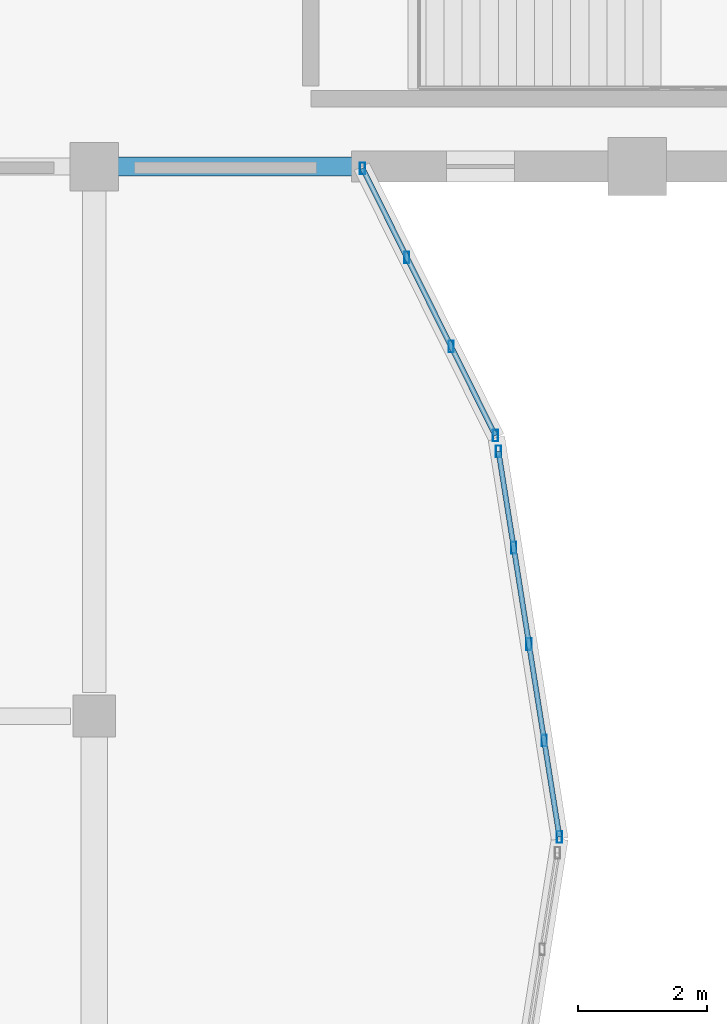
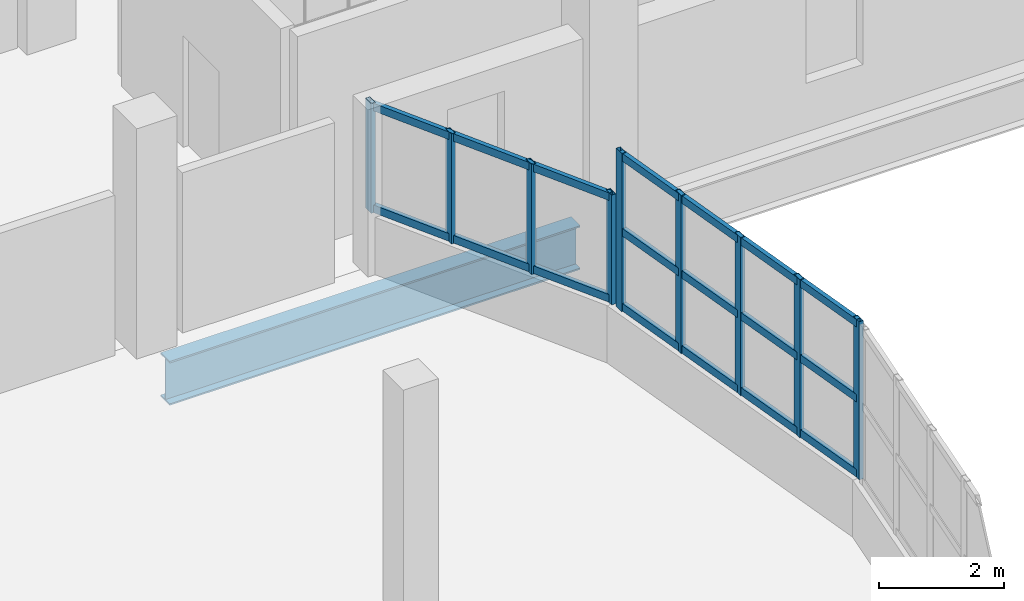
# One storey, part 25 of 50: 14 members, 1 beam, 2 elements without a shape of their own.
"""IFC4 building model written with IfcOpenShell, lengths in metres."""

from ifc_helpers import new_model, si_unit, direction, frame, origin, origin_2d, place, context, subcontext, project, spatial, hollow_rectangle, i_section, extrude, material, material_profile, profile_set, type_object, element, aggregate, save


model = new_model("IFC4")

# Units and contexts
model_context = context("Model", 3, precision=1e-05, world=origin(), true_north=direction((0.0, 1.0)))
body_context = subcontext(model_context, "Body", "Model", "MODEL_VIEW")
ifc_project = project(units=[si_unit("LENGTHUNIT", "METRE"), si_unit("AREAUNIT", "SQUARE_METRE"), si_unit("VOLUMEUNIT", "CUBIC_METRE"), si_unit("PLANEANGLEUNIT", "RADIAN"), si_unit("MASSUNIT", "GRAM", prefix="KILO")], contexts=[model_context])

# Site, building, storey
site_placement = place(None, origin())
site = spatial("IfcSite", under=ifc_project, at=site_placement, CompositionType="ELEMENT")
building_placement = place(site_placement, origin())
building = spatial("IfcBuilding", under=site, at=building_placement, Name="Solvento Point Concert Hall", CompositionType="ELEMENT")
storey_placement = place(building_placement, frame((0.0, 0.0, 15.0)))
storey = spatial("IfcBuildingStorey", under=building, at=storey_placement, Name="L03", CompositionType="ELEMENT", Elevation=15.0)

# Beam
ifc_material_1 = material(Name="Structural Steel ASTM A992 Grade 50", Category="steel")
ifc_material_profile_1 = material_profile(ifc_material_1, i_section(OverallWidth=0.2919921875, OverallDepth=0.85888671875, WebThickness=0.01708984375, FlangeThickness=0.031005859375, at=origin_2d()), Name="W33X169")
ifc_profile_set_1 = profile_set([ifc_material_profile_1], Name="Structural Steel ASTM A992 Grade 50")
beam_type = type_object("IfcBeamType", Name="Girder_W33X169", PredefinedType="USERDEFINED", material=ifc_profile_set_1)
beam_placement = place(storey_placement, frame((83.1689453125, 42.5, -0.87353515625), z_axis=(1.0, 0.0, 0.0), x_axis=(0.0, 1.0, 0.0)))
element("IfcBeam", 1, at=beam_placement, inside=storey, type_object=beam_type, Name="Primary girder B-33 L03", ObjectType="GIRDER", PredefinedType="USERDEFINED", context=body_context, shape_type="SweptSolid", body=[
    extrude(i_section(OverallWidth=0.2919921875, OverallDepth=0.85888671875, WebThickness=0.01708984375, FlangeThickness=0.031005859375, at=origin_2d()), origin(), (0.0, 0.0, 1.0), 7.587158203125),
])

# Curtain wall, members
ifc_material_2 = material(Name="Anodized Bronze Aluminium", Category="aluminium")
curtain_wall_type = type_object("IfcCurtainWallType", Name="CurtainWall_RingRibbon_L03_04", PredefinedType="USERDEFINED", material=ifc_material_2)
curtain_wall_1_placement = place(storey_placement, origin())
curtain_wall_1 = element("IfcCurtainWall", 2, at=curtain_wall_1_placement, inside=storey, type_object=curtain_wall_type, Name="Unitised curtain wall CW-31 UCW-L03-199", ObjectType="UNITISED CURTAIN WALL", PredefinedType="USERDEFINED")
ifc_material_3 = material(Name="Anodized Bronze Aluminium", Category="aluminium")
ifc_material_profile_2 = material_profile(ifc_material_3, hollow_rectangle(XDim=0.080078125, YDim=0.179931640625, WallThickness=0.00390625, at=origin_2d()), Name="CW-MUL-80X180")
ifc_profile_set_2 = profile_set([ifc_material_profile_2], Name="Anodized Bronze Aluminium")
member_type_1 = type_object("IfcMemberType", Name="Mullion_80x180", PredefinedType="MULLION", material=ifc_profile_set_2)
member_1_placement = place(storey_placement, frame((86.9501953125, 42.47314453125, 1.1201171875), z_axis=(0.0, 0.0, 1.0), x_axis=(1.0, 0.0, 0.0)))
member_1 = element("IfcMember", 3, at=member_1_placement, type_object=member_type_1, Name="Curtain wall mullion ML-01", PredefinedType="MULLION", context=body_context, shape_type="SweptSolid", body=[
    extrude(hollow_rectangle(XDim=0.080078125, YDim=0.179931640625, WallThickness=0.00390625, at=origin_2d()), origin(), (0.0, 0.0, 1.0), 2.14697265625),
])
member_2_placement = place(storey_placement, frame((87.63525390625, 41.094970703125, 1.1201171875), z_axis=(0.0, 0.0, 1.0), x_axis=(1.0, 0.0, 0.0)))
member_2 = element("IfcMember", 4, at=member_2_placement, type_object=member_type_1, Name="Curtain wall mullion ML-01", PredefinedType="MULLION", context=body_context, shape_type="SweptSolid", body=[
    extrude(hollow_rectangle(XDim=0.080078125, YDim=0.179931640625, WallThickness=0.00390625, at=origin_2d()), origin(), (0.0, 0.0, 1.0), 2.14697265625),
])
member_3_placement = place(storey_placement, frame((88.3203125, 39.716796875, 1.1201171875), z_axis=(0.0, 0.0, 1.0), x_axis=(1.0, 0.0, 0.0)))
member_3 = element("IfcMember", 5, at=member_3_placement, type_object=member_type_1, Name="Curtain wall mullion ML-01", PredefinedType="MULLION", context=body_context, shape_type="SweptSolid", body=[
    extrude(hollow_rectangle(XDim=0.080078125, YDim=0.179931640625, WallThickness=0.00390625, at=origin_2d()), origin(), (0.0, 0.0, 1.0), 2.14697265625),
])
member_4_placement = place(storey_placement, frame((89.00537109375, 38.338623046875, 1.1201171875), z_axis=(0.0, 0.0, 1.0), x_axis=(1.0, 0.0, 0.0)))
member_4 = element("IfcMember", 6, at=member_4_placement, type_object=member_type_1, Name="Curtain wall mullion ML-01", PredefinedType="MULLION", context=body_context, shape_type="SweptSolid", body=[
    extrude(hollow_rectangle(XDim=0.080078125, YDim=0.179931640625, WallThickness=0.00390625, at=origin_2d()), origin(), (0.0, 0.0, 1.0), 2.14697265625),
])

curtain_wall_2_placement = place(storey_placement, origin())
curtain_wall_2 = element("IfcCurtainWall", 7, at=curtain_wall_2_placement, inside=storey, type_object=curtain_wall_type, Name="Unitised curtain wall CW-31 UCW-L03-200", ObjectType="UNITISED CURTAIN WALL", PredefinedType="USERDEFINED")
member_5_placement = place(storey_placement, frame((89.052978515625, 38.094482421875, 1.1201171875), z_axis=(0.0, 0.0, 1.0), x_axis=(1.0, 0.0, 0.0)))
member_5 = element("IfcMember", 8, at=member_5_placement, type_object=member_type_1, Name="Curtain wall mullion ML-01", PredefinedType="MULLION", context=body_context, shape_type="SweptSolid", body=[
    extrude(hollow_rectangle(XDim=0.080078125, YDim=0.179931640625, WallThickness=0.00390625, at=origin_2d()), origin(), (0.0, 0.0, 1.0), 3.08984375),
])
member_6_placement = place(storey_placement, frame((89.28857421875, 36.603271484375, 1.1201171875), z_axis=(0.0, 0.0, 1.0), x_axis=(1.0, 0.0, 0.0)))
member_6 = element("IfcMember", 9, at=member_6_placement, type_object=member_type_1, Name="Curtain wall mullion ML-01", PredefinedType="MULLION", context=body_context, shape_type="SweptSolid", body=[
    extrude(hollow_rectangle(XDim=0.080078125, YDim=0.179931640625, WallThickness=0.00390625, at=origin_2d()), origin(), (0.0, 0.0, 1.0), 3.08984375),
])
member_7_placement = place(storey_placement, frame((89.524169921875, 35.112060546875, 1.1201171875), z_axis=(0.0, 0.0, 1.0), x_axis=(1.0, 0.0, 0.0)))
member_7 = element("IfcMember", 10, at=member_7_placement, type_object=member_type_1, Name="Curtain wall mullion ML-01", PredefinedType="MULLION", context=body_context, shape_type="SweptSolid", body=[
    extrude(hollow_rectangle(XDim=0.080078125, YDim=0.179931640625, WallThickness=0.00390625, at=origin_2d()), origin(), (0.0, 0.0, 1.0), 3.08984375),
])
member_8_placement = place(storey_placement, frame((89.759765625, 33.620849609375, 1.1201171875), z_axis=(0.0, 0.0, 1.0), x_axis=(1.0, 0.0, 0.0)))
member_8 = element("IfcMember", 11, at=member_8_placement, type_object=member_type_1, Name="Curtain wall mullion ML-01", PredefinedType="MULLION", context=body_context, shape_type="SweptSolid", body=[
    extrude(hollow_rectangle(XDim=0.080078125, YDim=0.179931640625, WallThickness=0.00390625, at=origin_2d()), origin(), (0.0, 0.0, 1.0), 3.08984375),
])
member_9_placement = place(storey_placement, frame((89.995361328125, 32.129638671875, 1.1201171875), z_axis=(0.0, 0.0, 1.0), x_axis=(1.0, 0.0, 0.0)))
member_9 = element("IfcMember", 12, at=member_9_placement, type_object=member_type_1, Name="Curtain wall mullion ML-01", PredefinedType="MULLION", context=body_context, shape_type="SweptSolid", body=[
    extrude(hollow_rectangle(XDim=0.080078125, YDim=0.179931640625, WallThickness=0.00390625, at=origin_2d()), origin(), (0.0, 0.0, 1.0), 3.08984375),
])

# Member
ifc_material_4 = material(Name="Anodized Bronze Aluminium", Category="aluminium")
ifc_material_profile_3 = material_profile(ifc_material_4, hollow_rectangle(XDim=0.080078125, YDim=0.14990234375, WallThickness=0.00390625, at=origin_2d()), Name="CW-TRN-80X150")
ifc_profile_set_3 = profile_set([ifc_material_profile_3], Name="Anodized Bronze Aluminium")
member_type_2 = type_object("IfcMemberType", Name="Transom_80x150", PredefinedType="USERDEFINED", material=ifc_profile_set_3)
member_10_placement = place(storey_placement, frame((86.9501953125, 42.47314453125, 1.199951171875), z_axis=(0.445118441463, -0.895471704226, 0.0), x_axis=(0.895471704226, 0.445118441463, 0.0)))
member_10 = element("IfcMember", 13, at=member_10_placement, type_object=member_type_2, Name="Curtain wall transom TR-01", ObjectType="TRANSOM", PredefinedType="USERDEFINED", context=body_context, shape_type="SweptSolid", body=[
    extrude(hollow_rectangle(XDim=0.080078125, YDim=0.14990234375, WallThickness=0.00390625, at=origin_2d()), origin(), (0.0, 0.0, 1.0), 4.6171875),
])

member_11_placement = place(storey_placement, frame((86.9501953125, 42.47314453125, 3.18701171875), z_axis=(0.445118441463, -0.895471704226, 0.0), x_axis=(0.895471704226, 0.445118441463, 0.0)))
member_11 = element("IfcMember", 14, at=member_11_placement, type_object=member_type_2, Name="Curtain wall transom TR-01", ObjectType="TRANSOM", PredefinedType="USERDEFINED", context=body_context, shape_type="SweptSolid", body=[
    extrude(hollow_rectangle(XDim=0.080078125, YDim=0.14990234375, WallThickness=0.00390625, at=origin_2d()), origin(), (0.0, 0.0, 1.0), 4.6171875),
])

aggregate(curtain_wall_1, [member_1, member_2, member_3, member_4, member_10, member_11])

member_12_placement = place(storey_placement, frame((89.052978515625, 38.094482421875, 1.199951171875), z_axis=(0.15605391931, -0.987748537973, 0.0), x_axis=(0.987748537973, 0.15605391931, 0.0)))
member_12 = element("IfcMember", 15, at=member_12_placement, type_object=member_type_2, Name="Curtain wall transom TR-01", ObjectType="TRANSOM", PredefinedType="USERDEFINED", context=body_context, shape_type="SweptSolid", body=[
    extrude(hollow_rectangle(XDim=0.080078125, YDim=0.14990234375, WallThickness=0.00390625, at=origin_2d()), origin(), (0.0, 0.0, 1.0), 6.038818359375),
])

member_13_placement = place(storey_placement, frame((89.052978515625, 38.094482421875, 2.6650390625), z_axis=(0.15605391931, -0.987748537973, 0.0), x_axis=(0.987748537973, 0.15605391931, 0.0)))
member_13 = element("IfcMember", 16, at=member_13_placement, type_object=member_type_2, Name="Curtain wall transom TR-01", ObjectType="TRANSOM", PredefinedType="USERDEFINED", context=body_context, shape_type="SweptSolid", body=[
    extrude(hollow_rectangle(XDim=0.080078125, YDim=0.14990234375, WallThickness=0.00390625, at=origin_2d()), origin(), (0.0, 0.0, 1.0), 6.038818359375),
])

member_14_placement = place(storey_placement, frame((89.052978515625, 38.094482421875, 4.1298828125), z_axis=(0.15605391931, -0.987748537973, 0.0), x_axis=(0.987748537973, 0.15605391931, 0.0)))
member_14 = element("IfcMember", 17, at=member_14_placement, type_object=member_type_2, Name="Curtain wall transom TR-01", ObjectType="TRANSOM", PredefinedType="USERDEFINED", context=body_context, shape_type="SweptSolid", body=[
    extrude(hollow_rectangle(XDim=0.080078125, YDim=0.14990234375, WallThickness=0.00390625, at=origin_2d()), origin(), (0.0, 0.0, 1.0), 6.038818359375),
])

aggregate(curtain_wall_2, [member_5, member_6, member_7, member_8, member_9, member_12, member_13, member_14])

save(model, "model.ifc")
